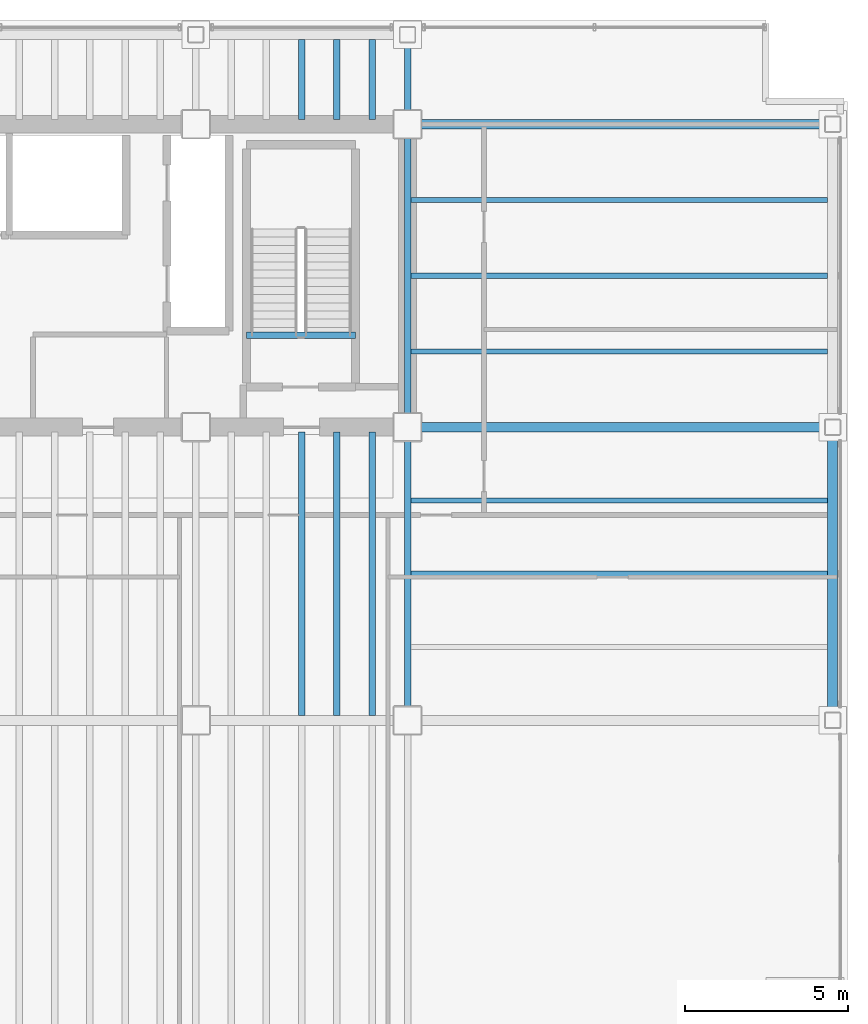
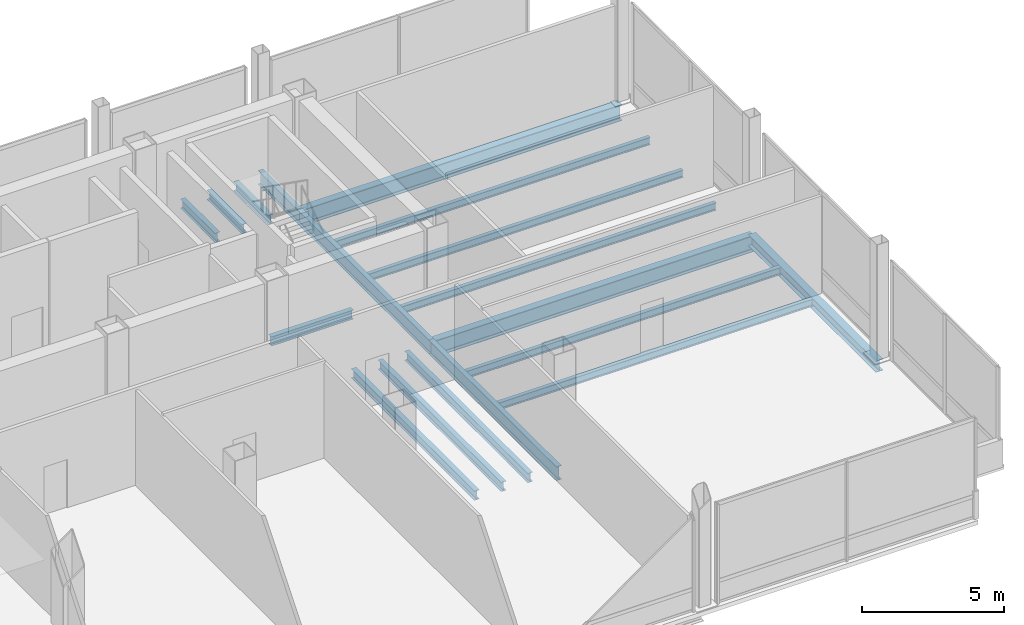
# One storey, part 12 of 22: 18 beams.
"""IFC4 building model written with IfcOpenShell, lengths in metres."""

import ifcopenshell
import ifcopenshell.guid

model = None  # the IFC model being written
_history = None  # IfcOwnerHistory: only IFC2X3 demands one
_inside = {}  # id of a spatial element -> (the spatial element, [elements in it])
_under = {}  # id of a project, library or spatial element -> (it, [spatial elements below it])
_declared = {}  # id of a project -> (the project, [libraries it declares])
_typed = {}  # id of a type object -> (the type object, [elements of that type])
_made_of = {}  # id of a material, layer set ... -> (it, [elements and type objects made of it])


def new_model(schema):
    """Start an empty IFC model of exactly this schema.

    Asked for "IFC4X3", IfcOpenShell would pick the latest addendum, in which some entities
    have other attributes; the version numbers below select the first issue.
    IFC2X3 requires an IfcOwnerHistory on every rooted entity: one is made here for all.
    """
    global model, _history
    if schema == "IFC4X3":
        model = ifcopenshell.file(schema_version=(4, 3, 0, 0))
    else:
        model = ifcopenshell.file(schema=schema)
    _inside.clear()
    _under.clear()
    _declared.clear()
    _typed.clear()
    _made_of.clear()
    _history = None
    if model.schema == "IFC2X3":
        org = make("IfcOrganization", Name="unknown")
        user = make(
            "IfcPersonAndOrganization",
            ThePerson=make("IfcPerson", FamilyName="unknown"),
            TheOrganization=org,
        )
        app = make(
            "IfcApplication",
            ApplicationDeveloper=org,
            Version="unknown",
            ApplicationFullName="unknown",
            ApplicationIdentifier="unknown",
        )
        _history = make(
            "IfcOwnerHistory",
            OwningUser=user,
            OwningApplication=app,
            ChangeAction="ADDED",
            CreationDate=0,
        )
    return model


def make(cls, **values):
    """One entity of the class cls with the attributes given. An attribute that is None is left unset."""
    return model.create_entity(
        cls, **{name: value for name, value in values.items() if value is not None}
    )


def rooted(cls, **values):
    """An entity with a GlobalId (a new one), such as an element, a storey or a relation."""
    return make(cls, GlobalId=ifcopenshell.guid.new(), OwnerHistory=_history, **values)


def si_unit(unit_type, name, prefix=None):
    """IfcSIUnit, for example si_unit("LENGTHUNIT", "METRE", prefix="MILLI")."""
    return make("IfcSIUnit", UnitType=unit_type, Prefix=prefix, Name=name)


def assignment(units):
    """IfcUnitAssignment: the units of a project."""
    return None if units is None else make("IfcUnitAssignment", Units=units)


def point(xyz):
    """IfcCartesianPoint."""
    return None if xyz is None else make("IfcCartesianPoint", Coordinates=xyz)


def direction(xyz):
    """IfcDirection."""
    return None if xyz is None else make("IfcDirection", DirectionRatios=xyz)


def frame(location, z_axis=None, x_axis=None):
    """IfcAxis2Placement3D, a coordinate frame: its origin and axes. An axis left out is left unset."""
    return make(
        "IfcAxis2Placement3D",
        Location=point(location),
        Axis=direction(z_axis),
        RefDirection=direction(x_axis),
    )


def frame_2d(location, x_axis=None):
    """IfcAxis2Placement2D, a coordinate frame in the plane: its origin and x axis."""
    return make(
        "IfcAxis2Placement2D", Location=point(location), RefDirection=direction(x_axis)
    )


def origin():
    """The frame at (0, 0, 0) with its axes left unset."""
    return frame((0.0, 0.0, 0.0))


def origin_2d():
    """The frame at (0, 0) in the plane with its x axis left unset."""
    return frame_2d((0.0, 0.0))


def place(relative_to, where):
    """IfcLocalPlacement: puts the frame where relative to a parent placement (None: the world)."""
    return make(
        "IfcLocalPlacement", PlacementRelTo=relative_to, RelativePlacement=where
    )


def context(
    kind, dimensions, precision=None, world=None, true_north=None, identifier=None
):
    """IfcGeometricRepresentationContext, for example the 3D "Model" context."""
    return make(
        "IfcGeometricRepresentationContext",
        ContextIdentifier=identifier,
        ContextType=kind,
        CoordinateSpaceDimension=dimensions,
        Precision=precision,
        WorldCoordinateSystem=world,
        TrueNorth=true_north,
    )


def subcontext(parent, identifier, kind, view, scale=None):
    """IfcGeometricRepresentationSubContext, for example "Body" below "Model"."""
    return make(
        "IfcGeometricRepresentationSubContext",
        ContextIdentifier=identifier,
        ContextType=kind,
        ParentContext=parent,
        TargetScale=scale,
        TargetView=view,
    )


def project(units=None, contexts=None):
    """IfcProject with its units and contexts."""
    return rooted(
        "IfcProject",
        Name="project",
        RepresentationContexts=contexts,
        UnitsInContext=assignment(units),
    )


def spatial(cls, under=None, at=None, **own):
    """A site, building, storey or space (cls), placed at a placement, below another one or the project."""
    s = rooted(cls, ObjectPlacement=at, **own)
    if under is not None:
        _under.setdefault(under.id(), (under, []))[1].append(s)
    return s


def profile(cls, at=None, kind="AREA", **sizes):
    """A parametric profile (cls). Its sizes go by their IFC names, for example OverallWidth=200.0."""
    return make(cls, ProfileType=kind, Position=at, **sizes)


def i_section(**sizes):
    """IfcIShapeProfileDef."""
    return profile("IfcIShapeProfileDef", **sizes)


def extrude(swept, where, along, depth):
    """IfcExtrudedAreaSolid: the profile swept, set in the frame where, extruded along a direction by depth."""
    return make(
        "IfcExtrudedAreaSolid",
        SweptArea=swept,
        Position=where,
        ExtrudedDirection=direction(along),
        Depth=depth,
    )


def shape(context_of_items, identifier, shape_type, items):
    """IfcShapeRepresentation: the items that make up one representation, for example the "Body"."""
    return make(
        "IfcShapeRepresentation",
        ContextOfItems=context_of_items,
        RepresentationIdentifier=identifier,
        RepresentationType=shape_type,
        Items=items,
    )


def material(Name=None, Category=None):
    """IfcMaterial."""
    return make("IfcMaterial", Name=Name, Category=Category)


def material_profile(
    of_material, cross_section, Name=None, Category=None, Priority=None
):
    """IfcMaterialProfile: a cross section and its material."""
    return make(
        "IfcMaterialProfile",
        Name=Name,
        Material=of_material,
        Profile=cross_section,
        Priority=Priority,
        Category=Category,
    )


def profile_set(profiles, Name=None, composite=None):
    """IfcMaterialProfileSet."""
    return make(
        "IfcMaterialProfileSet",
        Name=Name,
        MaterialProfiles=profiles,
        CompositeProfile=composite,
    )


def made_of(thing, what):
    """Note that an element or type object is made of a material, layer set ...; save() writes the relation."""
    if what is not None:
        _made_of.setdefault(what.id(), (what, []))[1].append(thing)
    return thing


def type_object(cls, material=None, **own):
    """A type object (cls), such as IfcWallType, which elements share."""
    return made_of(rooted(cls, **own), material)


def element(
    cls,
    number,
    at=None,
    inside=None,
    cuts=None,
    type_object=None,
    material=None,
    context=None,
    identifier="Body",
    shape_type=None,
    held_by="IfcProductDefinitionShape",
    body=None,
    shapes=None,
    **own,
):
    """One element of the class cls, such as IfcWall. Its Tag is "e" and its number.

    at: its placement. inside: the storey or other place that contains it. cuts: it is an
    opening in that element (IfcRelVoidsElement). A single representation is given by context,
    identifier, shape_type and body (its items); several are given by shapes. held_by: the class
    of the entity that holds the representations. save() writes the other relations.
    """
    e = rooted(cls, Tag="e%d" % number, ObjectPlacement=at, **own)
    if body is not None:
        shapes = [shape(context, identifier, shape_type, body)]
    if shapes is not None:
        e.Representation = make(held_by, Representations=shapes)
    if inside is not None:
        _inside.setdefault(inside.id(), (inside, []))[1].append(e)
    if cuts is not None:
        rooted(
            "IfcRelVoidsElement", RelatingBuildingElement=cuts, RelatedOpeningElement=e
        )
    if type_object is not None:
        _typed.setdefault(type_object.id(), (type_object, []))[1].append(e)
    return made_of(e, material)


def aggregate(whole, parts):
    """IfcRelAggregates: a whole, such as a stair, and the parts it consists of."""
    return rooted("IfcRelAggregates", RelatingObject=whole, RelatedObjects=parts)


def save(model, path):
    """Write the relations noted so far, then the file.

    IfcRelAggregates (storeys below a building ...), IfcRelContainedInSpatialStructure (elements
    in a storey), IfcRelDefinesByType, IfcRelAssociatesMaterial and IfcRelDeclares: one each for
    every whole, place, type object, material and project.
    """
    for whole, parts in _under.values():
        aggregate(whole, parts)
    for where, things in _inside.values():
        rooted(
            "IfcRelContainedInSpatialStructure",
            RelatedElements=things,
            RelatingStructure=where,
        )
    for kind, things in _typed.values():
        rooted("IfcRelDefinesByType", RelatedObjects=things, RelatingType=kind)
    for what, things in _made_of.values():
        rooted("IfcRelAssociatesMaterial", RelatedObjects=things, RelatingMaterial=what)
    for by, libraries in _declared.values():
        rooted("IfcRelDeclares", RelatingContext=by, RelatedDefinitions=libraries)
    model.write(path)


model = new_model("IFC4")

# Units and contexts
model_context = context("Model", 3, precision=1e-05, world=origin(), true_north=direction((0.0, 1.0)))
body_context = subcontext(model_context, "Body", "Model", "MODEL_VIEW")
ifc_project = project(units=[si_unit("LENGTHUNIT", "METRE"), si_unit("AREAUNIT", "SQUARE_METRE"), si_unit("VOLUMEUNIT", "CUBIC_METRE"), si_unit("PLANEANGLEUNIT", "RADIAN"), si_unit("MASSUNIT", "GRAM", prefix="KILO")], contexts=[model_context])

# Site, building, storey
site_placement = place(None, origin())
site = spatial("IfcSite", under=ifc_project, at=site_placement, CompositionType="ELEMENT")
building_placement = place(site_placement, origin())
building = spatial("IfcBuilding", under=site, at=building_placement, Name="Noeulbin Bourse Tower", CompositionType="ELEMENT")
storey_placement = place(building_placement, frame((0.0, 0.0, 106.0)))
storey = spatial("IfcBuildingStorey", under=building, at=storey_placement, Name="L26", CompositionType="ELEMENT", Elevation=106.0)

# Beams
ifc_material = material(Name="Steel S355", Category="steel")
ifc_material_profile_1 = material_profile(ifc_material, i_section(OverallWidth=0.199951171875, OverallDepth=0.60009765625, WebThickness=0.010986328125, FlangeThickness=0.01708984375, FilletRadius=0.02197265625, at=origin_2d()), Name="H-600x200x11x17", Category="LoadBearing")
ifc_profile_set_1 = profile_set([ifc_material_profile_1], Name="Steel S355")
beam_type_1 = type_object("IfcBeamType", Name="BM-GRD-600", PredefinedType="USERDEFINED", material=ifc_profile_set_1)
beam_1_placement = place(storey_placement, frame((44.0, 20.0, -0.47998046875), z_axis=(0.0, 1.0, 0.0), x_axis=(-1.0, 0.0, 0.0)))
element("IfcBeam", 1, at=beam_1_placement, inside=storey, type_object=beam_type_1, Name="Tower Primary Girder NS L26-5.2", ObjectType="GIRDER", PredefinedType="USERDEFINED", context=body_context, shape_type="SweptSolid", body=[
    extrude(i_section(OverallWidth=0.199951171875, OverallDepth=0.60009765625, WebThickness=0.010986328125, FlangeThickness=0.01708984375, FilletRadius=0.02197265625, at=origin_2d()), origin(), (0.0, 0.0, 1.0), 9.0),
])
beam_2_placement = place(storey_placement, frame((44.0, 29.0, -0.47998046875), z_axis=(0.0, 1.0, 0.0), x_axis=(-1.0, 0.0, 0.0)))
element("IfcBeam", 2, at=beam_2_placement, inside=storey, type_object=beam_type_1, Name="Tower Primary Girder NS L26-5.3", ObjectType="GIRDER", PredefinedType="USERDEFINED", context=body_context, shape_type="SweptSolid", body=[
    extrude(i_section(OverallWidth=0.199951171875, OverallDepth=0.60009765625, WebThickness=0.010986328125, FlangeThickness=0.01708984375, FilletRadius=0.02197265625, at=origin_2d()), origin(), (0.0, 0.0, 1.0), 9.300048828125),
])
beam_3_placement = place(storey_placement, frame((44.0, 38.300048828125, -0.47998046875), z_axis=(0.0, 1.0, 0.0), x_axis=(-1.0, 0.0, 0.0)))
element("IfcBeam", 3, at=beam_3_placement, inside=storey, type_object=beam_type_1, Name="Tower Primary Girder NS L26-5.4", ObjectType="GIRDER", PredefinedType="USERDEFINED", context=body_context, shape_type="SweptSolid", body=[
    extrude(i_section(OverallWidth=0.199951171875, OverallDepth=0.60009765625, WebThickness=0.010986328125, FlangeThickness=0.01708984375, FilletRadius=0.02197265625, at=origin_2d()), origin(), (0.0, 0.0, 1.0), 2.75),
])
ifc_material_profile_2 = material_profile(ifc_material, i_section(OverallWidth=0.300048828125, OverallDepth=0.699951171875, WebThickness=0.012939453125, FlangeThickness=0.02392578125, FilletRadius=0.02392578125, at=origin_2d()), Name="H-700x300x13x24", Category="LoadBearing")
ifc_profile_set_2 = profile_set([ifc_material_profile_2], Name="Steel S355")
beam_type_2 = type_object("IfcBeamType", Name="BM-GRD-700", PredefinedType="USERDEFINED", material=ifc_profile_set_2)
for number, where, z_axis, x_axis, name in (
    (4, (44.0, 29.0, -0.530029296875), (1.0, 0.0, 0.0), (0.0, 1.0, 0.0), "Tower Primary Girder EW L26-2.6"),
    (5, (44.0, 38.300048828125, -0.530029296875), (1.0, 0.0, 0.0), (0.0, 1.0, 0.0), "Tower Primary Girder EW L26-3.6"),
):
    element("IfcBeam", number, at=place(storey_placement, frame(where, z_axis=z_axis, x_axis=x_axis)), inside=storey, type_object=beam_type_2, Name=name, ObjectType="GIRDER", PredefinedType="USERDEFINED", context=body_context, shape_type="SweptSolid", body=[
        extrude(i_section(OverallWidth=0.300048828125, OverallDepth=0.699951171875, WebThickness=0.012939453125, FlangeThickness=0.02392578125, FilletRadius=0.02392578125, at=origin_2d()), origin(), (0.0, 0.0, 1.0), 13.050048828125),
    ])
ifc_material_profile_3 = material_profile(ifc_material, i_section(OverallWidth=0.159912109375, OverallDepth=0.320068359375, WebThickness=0.006591796875, FlangeThickness=0.010009765625, FilletRadius=0.012939453125, at=origin_2d()), Name="H-320x160x6.5x10", Category="LoadBearing")
ifc_profile_set_3 = profile_set([ifc_material_profile_3], Name="Steel S355")
beam_type_3 = type_object("IfcBeamType", Name="BM-JST-320", PredefinedType="JOIST", material=ifc_profile_set_3)
for number, where, z_axis, x_axis, name in (
    (6, (44.10009765625, 24.5, -0.340087890625), (1.0, 0.0, 0.0), (0.0, 1.0, 0.0), "Wing Composite Joist L26-E77"),
    (7, (44.10009765625, 26.75, -0.340087890625), (1.0, 0.0, 0.0), (0.0, 1.0, 0.0), "Wing Composite Joist L26-E78"),
    (8, (44.10009765625, 31.324951171875, -0.340087890625), (1.0, 0.0, 0.0), (0.0, 1.0, 0.0), "Wing Composite Joist L26-E79"),
    (9, (44.10009765625, 33.64990234375, -0.340087890625), (1.0, 0.0, 0.0), (0.0, 1.0, 0.0), "Wing Composite Joist L26-E80"),
    (10, (44.10009765625, 35.97509765625, -0.340087890625), (1.0, 0.0, 0.0), (0.0, 1.0, 0.0), "Wing Composite Joist L26-E81"),
):
    element("IfcBeam", number, at=place(storey_placement, frame(where, z_axis=z_axis, x_axis=x_axis)), inside=storey, type_object=beam_type_3, Name=name, PredefinedType="JOIST", context=body_context, shape_type="SweptSolid", body=[
        extrude(i_section(OverallWidth=0.159912109375, OverallDepth=0.320068359375, WebThickness=0.006591796875, FlangeThickness=0.010009765625, FilletRadius=0.012939453125, at=origin_2d()), origin(), (0.0, 0.0, 1.0), 12.7998046875),
    ])
ifc_material_profile_4 = material_profile(ifc_material, i_section(OverallWidth=0.199951171875, OverallDepth=0.39990234375, WebThickness=0.008056640625, FlangeThickness=0.012939453125, FilletRadius=0.01611328125, at=origin_2d()), Name="H-400x200x8x13", Category="LoadBearing")
ifc_profile_set_4 = profile_set([ifc_material_profile_4], Name="Steel S355")
beam_type_4 = type_object("IfcBeamType", Name="BM-SEC-400", PredefinedType="BEAM", material=ifc_profile_set_4)
beam_4_placement = place(storey_placement, frame((40.75, 20.14990234375, -0.3798828125), z_axis=(0.0, 1.0, 0.0), x_axis=(-1.0, 0.0, 0.0)))
element("IfcBeam", 11, at=beam_4_placement, inside=storey, type_object=beam_type_4, Name="Tower Composite Joist L26-62", PredefinedType="BEAM", context=body_context, shape_type="SweptSolid", body=[
    extrude(i_section(OverallWidth=0.199951171875, OverallDepth=0.39990234375, WebThickness=0.008056640625, FlangeThickness=0.012939453125, FilletRadius=0.01611328125, at=origin_2d()), origin(), (0.0, 0.0, 1.0), 8.7001953125),
])
beam_5_placement = place(storey_placement, frame((40.75, 38.449951171875, -0.3798828125), z_axis=(0.0, 1.0, 0.0), x_axis=(-1.0, 0.0, 0.0)))
element("IfcBeam", 12, at=beam_5_placement, inside=storey, type_object=beam_type_4, Name="Tower Composite Joist L26-63", PredefinedType="BEAM", context=body_context, shape_type="SweptSolid", body=[
    extrude(i_section(OverallWidth=0.199951171875, OverallDepth=0.39990234375, WebThickness=0.008056640625, FlangeThickness=0.012939453125, FilletRadius=0.01611328125, at=origin_2d()), origin(), (0.0, 0.0, 1.0), 2.449951171875),
])
beam_6_placement = place(storey_placement, frame((41.833251953125, 20.14990234375, -0.3798828125), z_axis=(0.0, 1.0, 0.0), x_axis=(-1.0, 0.0, 0.0)))
element("IfcBeam", 13, at=beam_6_placement, inside=storey, type_object=beam_type_4, Name="Tower Composite Joist L26-65", PredefinedType="BEAM", context=body_context, shape_type="SweptSolid", body=[
    extrude(i_section(OverallWidth=0.199951171875, OverallDepth=0.39990234375, WebThickness=0.008056640625, FlangeThickness=0.012939453125, FilletRadius=0.01611328125, at=origin_2d()), origin(), (0.0, 0.0, 1.0), 8.7001953125),
])
beam_7_placement = place(storey_placement, frame((41.833251953125, 38.449951171875, -0.3798828125), z_axis=(0.0, 1.0, 0.0), x_axis=(-1.0, 0.0, 0.0)))
element("IfcBeam", 14, at=beam_7_placement, inside=storey, type_object=beam_type_4, Name="Tower Composite Joist L26-66", PredefinedType="BEAM", context=body_context, shape_type="SweptSolid", body=[
    extrude(i_section(OverallWidth=0.199951171875, OverallDepth=0.39990234375, WebThickness=0.008056640625, FlangeThickness=0.012939453125, FilletRadius=0.01611328125, at=origin_2d()), origin(), (0.0, 0.0, 1.0), 2.449951171875),
])
beam_8_placement = place(storey_placement, frame((42.916748046875, 20.14990234375, -0.3798828125), z_axis=(0.0, 1.0, 0.0), x_axis=(-1.0, 0.0, 0.0)))
element("IfcBeam", 15, at=beam_8_placement, inside=storey, type_object=beam_type_4, Name="Tower Composite Joist L26-68", PredefinedType="BEAM", context=body_context, shape_type="SweptSolid", body=[
    extrude(i_section(OverallWidth=0.199951171875, OverallDepth=0.39990234375, WebThickness=0.008056640625, FlangeThickness=0.012939453125, FilletRadius=0.01611328125, at=origin_2d()), origin(), (0.0, 0.0, 1.0), 8.7001953125),
])
beam_9_placement = place(storey_placement, frame((42.916748046875, 38.449951171875, -0.3798828125), z_axis=(0.0, 1.0, 0.0), x_axis=(-1.0, 0.0, 0.0)))
element("IfcBeam", 16, at=beam_9_placement, inside=storey, type_object=beam_type_4, Name="Tower Composite Joist L26-69", PredefinedType="BEAM", context=body_context, shape_type="SweptSolid", body=[
    extrude(i_section(OverallWidth=0.199951171875, OverallDepth=0.39990234375, WebThickness=0.008056640625, FlangeThickness=0.012939453125, FilletRadius=0.01611328125, at=origin_2d()), origin(), (0.0, 0.0, 1.0), 2.449951171875),
])
beam_10_placement = place(storey_placement, frame((39.06005859375, 31.820068359375, -0.199951171875), z_axis=(1.0, 0.0, 0.0), x_axis=(0.0, 1.0, 0.0)))
element("IfcBeam", 17, at=beam_10_placement, inside=storey, type_object=beam_type_4, Name="Stair Threshold Trimmer Beam ST2-L26", PredefinedType="BEAM", context=body_context, shape_type="SweptSolid", body=[
    extrude(i_section(OverallWidth=0.199951171875, OverallDepth=0.39990234375, WebThickness=0.008056640625, FlangeThickness=0.012939453125, FilletRadius=0.01611328125, at=origin_2d()), origin(), (0.0, 0.0, 1.0), 3.33984375),
])
ifc_material_profile_5 = material_profile(ifc_material, i_section(OverallWidth=0.300048828125, OverallDepth=0.488037109375, WebThickness=0.010986328125, FlangeThickness=0.01806640625, FilletRadius=0.02197265625, at=origin_2d()), Name="H-488x300x11x18", Category="LoadBearing")
ifc_profile_set_5 = profile_set([ifc_material_profile_5], Name="Steel S355")
beam_type_5 = type_object("IfcBeamType", Name="BM-SPN-488", PredefinedType="SPANDREL", material=ifc_profile_set_5)
beam_11_placement = place(storey_placement, frame((57.050048828125, 20.0, -0.424072265625), z_axis=(0.0, 1.0, 0.0), x_axis=(-1.0, 0.0, 0.0)))
element("IfcBeam", 18, at=beam_11_placement, inside=storey, type_object=beam_type_5, Name="East Spandrel L26-1", PredefinedType="SPANDREL", context=body_context, shape_type="SweptSolid", body=[
    extrude(i_section(OverallWidth=0.300048828125, OverallDepth=0.488037109375, WebThickness=0.010986328125, FlangeThickness=0.01806640625, FilletRadius=0.02197265625, at=origin_2d()), origin(), (0.0, 0.0, 1.0), 9.0),
])

save(model, "model.ifc")
